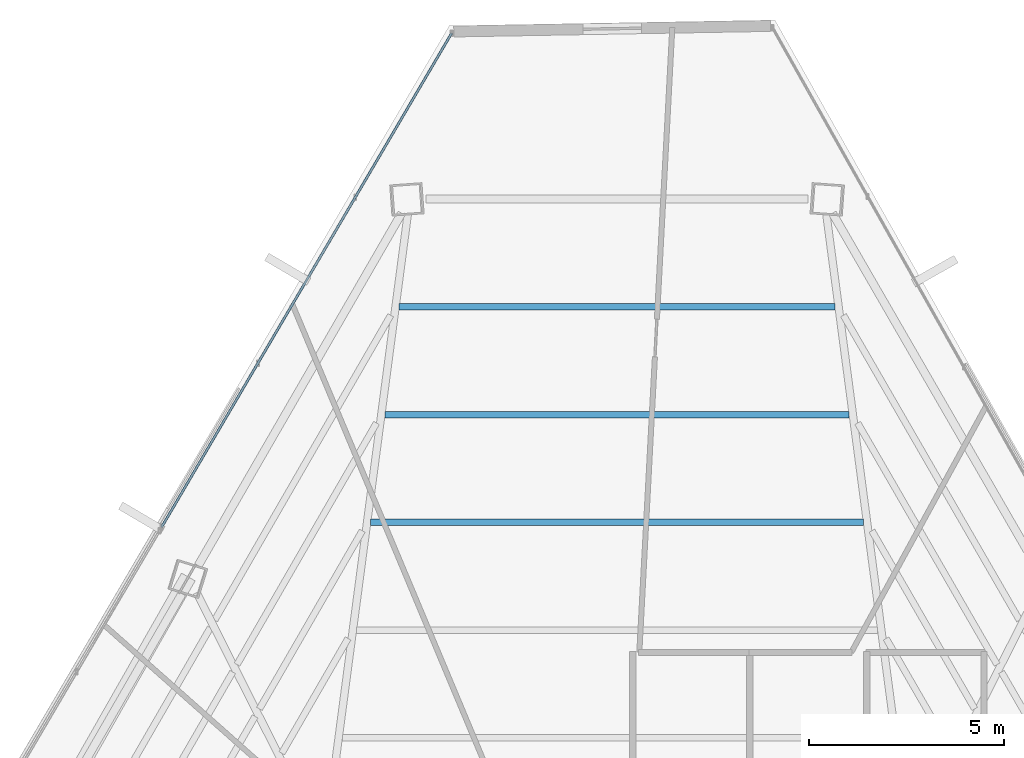
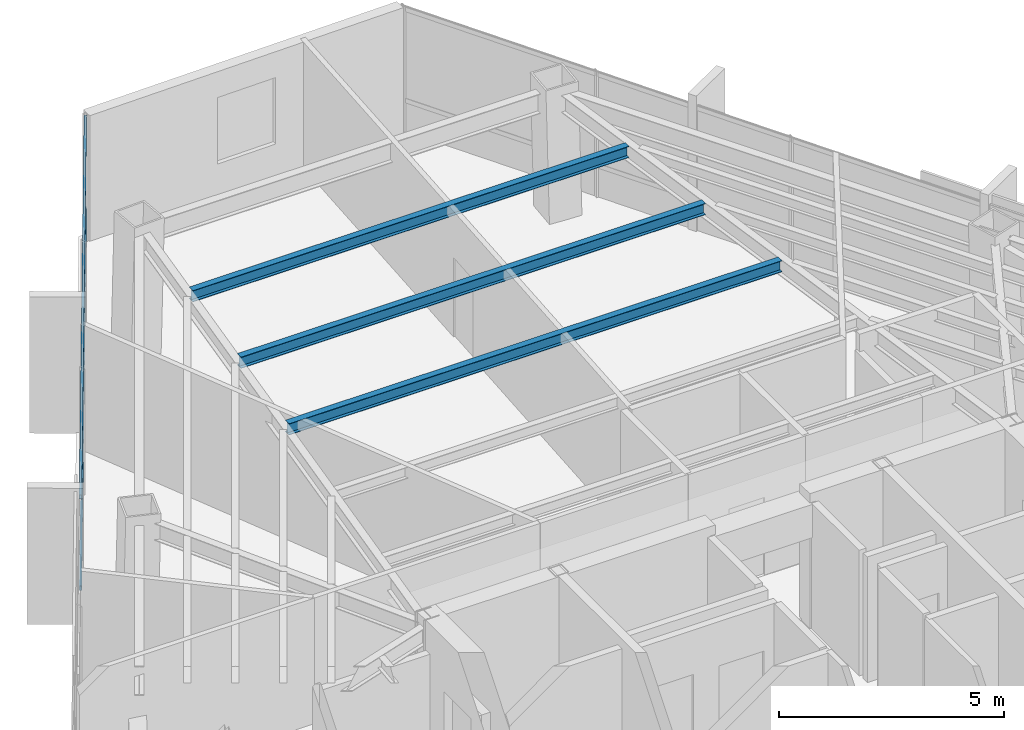
# One storey, part 28 of 42: 3 beams, 2 members, 1 element without a shape of its own.
"""IFC4 building model written with IfcOpenShell, lengths in metres."""

from ifc_helpers import new_model, si_unit, direction, frame, origin, origin_2d, place, context, subcontext, project, spatial, hollow_rectangle, i_section, extrude, source, transform, mapped, material, material_profile, profile_set, type_object, type_shapes, element, aggregate, save


model = new_model("IFC4")

# Units and contexts
model_context = context("Model", 3, precision=1e-05, world=origin(), true_north=direction((0.0, 1.0)))
body_context = subcontext(model_context, "Body", "Model", "MODEL_VIEW")
ifc_project = project(units=[si_unit("LENGTHUNIT", "METRE"), si_unit("AREAUNIT", "SQUARE_METRE"), si_unit("VOLUMEUNIT", "CUBIC_METRE"), si_unit("PLANEANGLEUNIT", "RADIAN"), si_unit("MASSUNIT", "GRAM", prefix="KILO")], contexts=[model_context])

# Site, building, storey
site_placement = place(None, origin())
site = spatial("IfcSite", under=ifc_project, at=site_placement, CompositionType="ELEMENT")
building_placement = place(site_placement, origin())
building = spatial("IfcBuilding", under=site, at=building_placement, Name="Caelisora Broadcast Tower", CompositionType="ELEMENT")
storey_placement = place(building_placement, frame((0.0, 0.0, 191.35009765625)))
storey = spatial("IfcBuildingStorey", under=building, at=storey_placement, Name="L50", CompositionType="ELEMENT", Elevation=191.35009765625)

# Beams
ifc_material_1 = material(Name="Steel Grade 350 (AS/NZS 3679.1)", Category="steel")
ifc_material_profile_1 = material_profile(ifc_material_1, i_section(OverallWidth=0.166015625, OverallDepth=0.30712890625, WebThickness=0.006591796875, FlangeThickness=0.01171875, at=origin_2d()), Name="Steel Grade 350 (AS/NZS 3679.1)")
ifc_profile_set_1 = profile_set([ifc_material_profile_1], Name="Steel Grade 350 (AS/NZS 3679.1)")
beam_type = type_object("IfcBeamType", Name="SB03", PredefinedType="JOIST", material=ifc_profile_set_1)
shared_shape_1 = source(origin(), body_context, "Body", "SweptSolid", [
    extrude(i_section(OverallWidth=0.166015625, OverallDepth=0.30712890625, WebThickness=0.006591796875, FlangeThickness=0.01171875, at=origin_2d()), origin(), (0.0, 0.0, 1.0), 12.6259765625),
])
beam_1_placement = place(storey_placement, frame((44.31298828125, 38.283203125, 3.246337890625), z_axis=(-1.0, 0.0, 0.0), x_axis=(0.0, -1.0, 0.0)))
element("IfcBeam", 1, at=beam_1_placement, inside=storey, type_object=beam_type, Name="L50 beam SB03", PredefinedType="JOIST", context=body_context, shape_type="MappedRepresentation", body=[
    mapped(shared_shape_1, transform((0.0, 0.0, 0.0), scale=1.0)),
])
shared_shape_2 = source(origin(), body_context, "Body", "SweptSolid", [
    extrude(i_section(OverallWidth=0.166015625, OverallDepth=0.30712890625, WebThickness=0.006591796875, FlangeThickness=0.01171875, at=origin_2d()), origin(), (0.0, 0.0, 1.0), 11.89697265625),
])
beam_2_placement = place(storey_placement, frame((43.948486328125, 41.04443359375, 3.246337890625), z_axis=(-1.0, 0.0, 0.0), x_axis=(0.0, -1.0, 0.0)))
element("IfcBeam", 2, at=beam_2_placement, inside=storey, type_object=beam_type, Name="L50 beam SB03", PredefinedType="JOIST", context=body_context, shape_type="MappedRepresentation", body=[
    mapped(shared_shape_2, transform((0.0, 0.0, 0.0), scale=1.0)),
])
shared_shape_3 = source(origin(), body_context, "Body", "SweptSolid", [
    extrude(i_section(OverallWidth=0.166015625, OverallDepth=0.30712890625, WebThickness=0.006591796875, FlangeThickness=0.01171875, at=origin_2d()), origin(), (0.0, 0.0, 1.0), 11.16796875),
])
type_shapes(beam_type, [shared_shape_1, shared_shape_2, shared_shape_3])
beam_3_placement = place(storey_placement, frame((43.583984375, 43.805419921875, 3.246337890625), z_axis=(-1.0, 0.0, 0.0), x_axis=(0.0, -1.0, 0.0)))
element("IfcBeam", 3, at=beam_3_placement, inside=storey, type_object=beam_type, Name="L50 beam SB03", PredefinedType="JOIST", context=body_context, shape_type="MappedRepresentation", body=[
    mapped(shared_shape_3, transform((0.0, 0.0, 0.0), scale=1.0)),
])

# Curtain wall, members
ifc_material_2 = material(Name="Unitised Aluminium and Low-E Glass Curtain Wall", Category="glass")
curtain_wall_type = type_object("IfcCurtainWallType", Name="CW-Z4", PredefinedType="NOTDEFINED", material=ifc_material_2)
curtain_wall_placement = place(storey_placement, origin())
curtain_wall = element("IfcCurtainWall", 4, at=curtain_wall_placement, inside=storey, type_object=curtain_wall_type, Name="L50 curtain wall CW-Z4", PredefinedType="NOTDEFINED")
ifc_material_3 = material(Name="Aluminium 6063-T6 Anodised Terracotta Bronze", Category="aluminium")
ifc_material_profile_2 = material_profile(ifc_material_3, hollow_rectangle(XDim=0.06005859375, YDim=0.1201171875, WallThickness=0.0029296875, at=origin_2d()), Name="Aluminium 6063-T6 Anodised Terracotta Bronze")
ifc_profile_set_2 = profile_set([ifc_material_profile_2], Name="Aluminium 6063-T6 Anodised Terracotta Bronze")
member_type = type_object("IfcMemberType", Name="CWT-03", PredefinedType="USERDEFINED", material=ifc_profile_set_2)
shared_shape_4 = source(origin(), body_context, "Body", "SweptSolid", [
    extrude(hollow_rectangle(XDim=0.06005859375, YDim=0.1201171875, WallThickness=0.0029296875, at=origin_2d()), origin(), (0.0, 0.0, 1.0), 14.680908203125),
])
type_shapes(member_type, [shared_shape_4])
member_1_placement = place(storey_placement, frame((26.327392578125, 38.159912109375, 0.849853515625), z_axis=(0.506328820463, 0.862340492827, 0.0), x_axis=(-0.862340492827, 0.506328820463, 0.0)))
member_1 = element("IfcMember", 5, at=member_1_placement, type_object=member_type, Name="L50-CW-B11 transom #1", ObjectType="TRANSOM", PredefinedType="USERDEFINED", context=body_context, shape_type="MappedRepresentation", body=[
    mapped(shared_shape_4, transform((0.0, 0.0, 0.0), scale=1.0)),
])
member_2_placement = place(storey_placement, frame((26.327392578125, 38.159912109375, 3.31982421875), z_axis=(0.506328820463, 0.862340492827, 0.0), x_axis=(-0.862340492827, 0.506328820463, 0.0)))
member_2 = element("IfcMember", 6, at=member_2_placement, type_object=member_type, Name="L50-CW-B11 transom #2", ObjectType="TRANSOM", PredefinedType="USERDEFINED", context=body_context, shape_type="MappedRepresentation", body=[
    mapped(shared_shape_4, transform((0.0, 0.0, 0.0), scale=1.0)),
])
aggregate(curtain_wall, [member_1, member_2])

save(model, "model.ifc")
